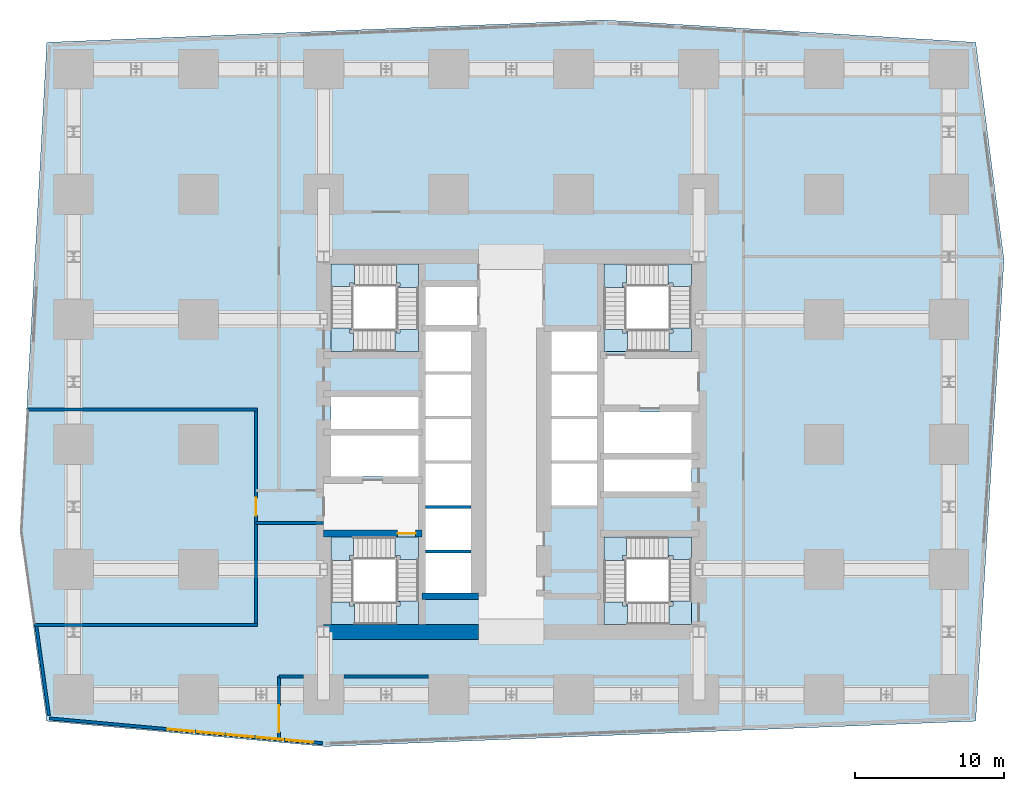
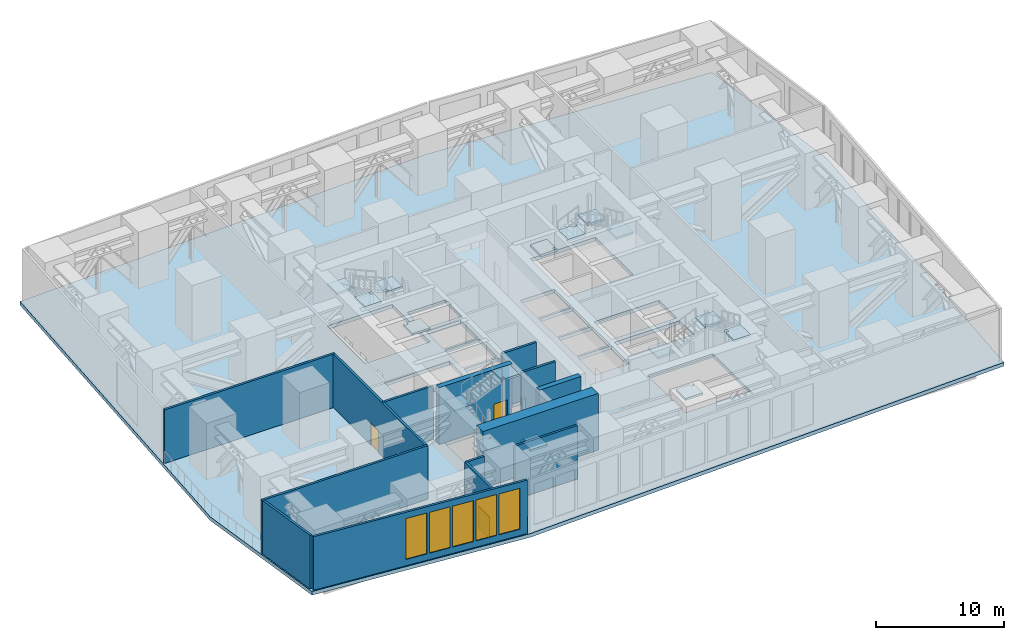
# One storey, part 8 of 16: 17 slabs, 14 walls, 5 windows, 3 doors, 8 openings, 4 elements without a shape of their own.
"""IFC4 building model written with IfcOpenShell, lengths in metres."""

from ifc_helpers import new_model, si_unit, direction, frame, frame_2d, origin, place, context, subcontext, project, spatial, polyline, rectangle, outline, extrude, material, layer, layer_set, type_object, element, fill, aggregate, save


model = new_model("IFC4")

# Units and contexts
model_context = context("Model", 3, precision=1e-05, world=origin(), true_north=direction((0.0, 1.0)))
body_context = subcontext(model_context, "Body", "Model", "MODEL_VIEW")
ifc_project = project(units=[si_unit("LENGTHUNIT", "METRE"), si_unit("AREAUNIT", "SQUARE_METRE"), si_unit("VOLUMEUNIT", "CUBIC_METRE"), si_unit("PLANEANGLEUNIT", "RADIAN"), si_unit("MASSUNIT", "GRAM", prefix="KILO")], contexts=[model_context])

# Site, building, storey
site_placement = place(None, origin())
site = spatial("IfcSite", under=ifc_project, at=site_placement, CompositionType="ELEMENT")
building_placement = place(site_placement, origin())
building = spatial("IfcBuilding", under=site, at=building_placement, Name="Rekha Terrace Tower", CompositionType="ELEMENT")
storey_placement = place(building_placement, frame((0.0, 0.0, 162.800048828125)))
storey = spatial("IfcBuildingStorey", under=building, at=storey_placement, Name="L41", CompositionType="ELEMENT", Elevation=162.800048828125)

# Stair, slabs
ifc_material_1 = material(Name="Concrete M40", Category="concrete")
stair_type = type_object("IfcStairType", Name="ST40 stair, 40 risers of 135, going 310, 1500 wide flights, 4 flights", PredefinedType="QUARTER_TURN_STAIR", material=ifc_material_1)
stair_1_placement = place(storey_placement, origin())
stair_1 = element("IfcStair", 1, at=stair_1_placement, inside=storey, type_object=stair_type, Name="Stair ST1 L41 to L42", PredefinedType="QUARTER_TURN_STAIR")
ifc_layer_1 = layer(ifc_material_1, 0.199951171875)
ifc_layer_set_1 = layer_set([ifc_layer_1], Name="Concrete M40")
slab_type_1 = type_object("IfcSlabType", Name="LD1 200 concrete stair landing", PredefinedType="LANDING", material=ifc_layer_set_1)
slab_1_placement = place(storey_placement, frame((0.0, 0.0, 1.14990234375)))
slab_1 = element("IfcSlab", 2, at=slab_1_placement, type_object=slab_type_1, Name="ST1 landing 1", PredefinedType="LANDING", context=body_context, shape_type="SweptSolid", body=[
    extrude(outline(polyline([(30.074951171875, 21.5), (31.574951171875, 21.5), (31.574951171875, 23.0849609375), (30.074951171875, 23.0849609375), (30.074951171875, 23.0), (30.324951171875, 23.0), (30.324951171875, 22.75), (30.074951171875, 22.75), (30.074951171875, 21.5)])), origin(), (0.0, 0.0, 1.0), 0.199951171875),
])
slab_2_placement = place(storey_placement, frame((0.0, 0.0, 2.5)))
slab_2 = element("IfcSlab", 3, at=slab_2_placement, type_object=slab_type_1, Name="ST1 landing 2", PredefinedType="LANDING", context=body_context, shape_type="SweptSolid", body=[
    extrude(outline(polyline([(25.699951171875, 23.0), (25.699951171875, 21.5), (27.284912109375, 21.5), (27.284912109375, 23.0), (27.199951171875, 23.0), (27.199951171875, 22.75), (26.949951171875, 22.75), (26.949951171875, 23.0), (25.699951171875, 23.0)])), origin(), (0.0, 0.0, 1.0), 0.199951171875),
])
slab_3_placement = place(storey_placement, frame((0.0, 0.0, 3.849853515625)))
slab_3 = element("IfcSlab", 4, at=slab_3_placement, type_object=slab_type_1, Name="ST1 landing 3", PredefinedType="LANDING", context=body_context, shape_type="SweptSolid", body=[
    extrude(outline(polyline([(27.199951171875, 27.375), (25.699951171875, 27.375), (25.699951171875, 25.7900390625), (27.199951171875, 25.7900390625), (27.199951171875, 25.875), (26.949951171875, 25.875), (26.949951171875, 26.125), (27.199951171875, 26.125), (27.199951171875, 27.375)])), origin(), (0.0, 0.0, 1.0), 0.2001953125),
])
slab_4_placement = place(storey_placement, frame((0.0, 0.0, 5.199951171875)))
slab_4 = element("IfcSlab", 5, at=slab_4_placement, type_object=slab_type_1, Name="ST1 landing 4", PredefinedType="LANDING", context=body_context, shape_type="SweptSolid", body=[
    extrude(outline(polyline([(31.574951171875, 25.875), (31.574951171875, 27.375), (29.989990234375, 27.375), (29.989990234375, 25.875), (30.074951171875, 25.875), (30.074951171875, 26.125), (30.324951171875, 26.125), (30.324951171875, 25.875), (31.574951171875, 25.875)])), origin(), (0.0, 0.0, 1.0), 0.199951171875),
])
aggregate(stair_1, [slab_1, slab_2, slab_3, slab_4])

stair_2_placement = place(storey_placement, origin())
stair_2 = element("IfcStair", 6, at=stair_2_placement, inside=storey, type_object=stair_type, Name="Stair ST2 L41 to L42", PredefinedType="QUARTER_TURN_STAIR")
slab_5_placement = place(storey_placement, frame((0.0, 0.0, 1.14990234375)))
slab_5 = element("IfcSlab", 7, at=slab_5_placement, type_object=slab_type_1, Name="ST2 landing 1", PredefinedType="LANDING", context=body_context, shape_type="SweptSolid", body=[
    extrude(outline(polyline([(45.52490234375, 45.699951171875), (44.02490234375, 45.699951171875), (44.02490234375, 44.114990234375), (45.52490234375, 44.114990234375), (45.52490234375, 44.199951171875), (45.27490234375, 44.199951171875), (45.27490234375, 44.449951171875), (45.52490234375, 44.449951171875), (45.52490234375, 45.699951171875)])), origin(), (0.0, 0.0, 1.0), 0.199951171875),
])
slab_6_placement = place(storey_placement, frame((0.0, 0.0, 2.5)))
slab_6 = element("IfcSlab", 8, at=slab_6_placement, type_object=slab_type_1, Name="ST2 landing 2", PredefinedType="LANDING", context=body_context, shape_type="SweptSolid", body=[
    extrude(outline(polyline([(49.89990234375, 44.199951171875), (49.89990234375, 45.699951171875), (48.31494140625, 45.699951171875), (48.31494140625, 44.199951171875), (48.39990234375, 44.199951171875), (48.39990234375, 44.449951171875), (48.64990234375, 44.449951171875), (48.64990234375, 44.199951171875), (49.89990234375, 44.199951171875)])), origin(), (0.0, 0.0, 1.0), 0.199951171875),
])
slab_7_placement = place(storey_placement, frame((0.0, 0.0, 3.849853515625)))
slab_7 = element("IfcSlab", 9, at=slab_7_placement, type_object=slab_type_1, Name="ST2 landing 3", PredefinedType="LANDING", context=body_context, shape_type="SweptSolid", body=[
    extrude(outline(polyline([(48.39990234375, 39.824951171875), (49.89990234375, 39.824951171875), (49.89990234375, 41.409912109375), (48.39990234375, 41.409912109375), (48.39990234375, 41.324951171875), (48.64990234375, 41.324951171875), (48.64990234375, 41.074951171875), (48.39990234375, 41.074951171875), (48.39990234375, 39.824951171875)])), origin(), (0.0, 0.0, 1.0), 0.2001953125),
])
slab_8_placement = place(storey_placement, frame((0.0, 0.0, 5.199951171875)))
slab_8 = element("IfcSlab", 10, at=slab_8_placement, type_object=slab_type_1, Name="ST2 landing 4", PredefinedType="LANDING", context=body_context, shape_type="SweptSolid", body=[
    extrude(outline(polyline([(44.02490234375, 41.324951171875), (44.02490234375, 39.824951171875), (45.610107421875, 39.824951171875), (45.610107421875, 41.324951171875), (45.52490234375, 41.324951171875), (45.52490234375, 41.074951171875), (45.27490234375, 41.074951171875), (45.27490234375, 41.324951171875), (44.02490234375, 41.324951171875)])), origin(), (0.0, 0.0, 1.0), 0.199951171875),
])
aggregate(stair_2, [slab_5, slab_6, slab_7, slab_8])

stair_3_placement = place(storey_placement, origin())
stair_3 = element("IfcStair", 11, at=stair_3_placement, inside=storey, type_object=stair_type, Name="Stair ST3 L41 to L42", PredefinedType="QUARTER_TURN_STAIR")
slab_9_placement = place(storey_placement, frame((0.0, 0.0, 1.14990234375)))
slab_9 = element("IfcSlab", 12, at=slab_9_placement, type_object=slab_type_1, Name="ST3 landing 1", PredefinedType="LANDING", context=body_context, shape_type="SweptSolid", body=[
    extrude(outline(polyline([(44.02490234375, 23.0), (44.02490234375, 21.5), (45.610107421875, 21.5), (45.610107421875, 23.0), (45.52490234375, 23.0), (45.52490234375, 22.75), (45.27490234375, 22.75), (45.27490234375, 23.0), (44.02490234375, 23.0)])), origin(), (0.0, 0.0, 1.0), 0.199951171875),
])
slab_10_placement = place(storey_placement, frame((0.0, 0.0, 2.5)))
slab_10 = element("IfcSlab", 13, at=slab_10_placement, type_object=slab_type_1, Name="ST3 landing 2", PredefinedType="LANDING", context=body_context, shape_type="SweptSolid", body=[
    extrude(outline(polyline([(45.52490234375, 27.375), (44.02490234375, 27.375), (44.02490234375, 25.7900390625), (45.52490234375, 25.7900390625), (45.52490234375, 25.875), (45.27490234375, 25.875), (45.27490234375, 26.125), (45.52490234375, 26.125), (45.52490234375, 27.375)])), origin(), (0.0, 0.0, 1.0), 0.199951171875),
])
slab_11_placement = place(storey_placement, frame((0.0, 0.0, 3.849853515625)))
slab_11 = element("IfcSlab", 14, at=slab_11_placement, type_object=slab_type_1, Name="ST3 landing 3", PredefinedType="LANDING", context=body_context, shape_type="SweptSolid", body=[
    extrude(outline(polyline([(49.89990234375, 25.875), (49.89990234375, 27.375), (48.31494140625, 27.375), (48.31494140625, 25.875), (48.39990234375, 25.875), (48.39990234375, 26.125), (48.64990234375, 26.125), (48.64990234375, 25.875), (49.89990234375, 25.875)])), origin(), (0.0, 0.0, 1.0), 0.2001953125),
])
slab_12_placement = place(storey_placement, frame((0.0, 0.0, 5.199951171875)))
slab_12 = element("IfcSlab", 15, at=slab_12_placement, type_object=slab_type_1, Name="ST3 landing 4", PredefinedType="LANDING", context=body_context, shape_type="SweptSolid", body=[
    extrude(outline(polyline([(48.39990234375, 21.5), (49.89990234375, 21.5), (49.89990234375, 23.0849609375), (48.39990234375, 23.0849609375), (48.39990234375, 23.0), (48.64990234375, 23.0), (48.64990234375, 22.75), (48.39990234375, 22.75), (48.39990234375, 21.5)])), origin(), (0.0, 0.0, 1.0), 0.199951171875),
])
aggregate(stair_3, [slab_9, slab_10, slab_11, slab_12])

stair_4_placement = place(storey_placement, origin())
stair_4 = element("IfcStair", 16, at=stair_4_placement, inside=storey, type_object=stair_type, Name="Stair ST4 L41 to L42", PredefinedType="QUARTER_TURN_STAIR")
slab_13_placement = place(storey_placement, frame((0.0, 0.0, 1.14990234375)))
slab_13 = element("IfcSlab", 17, at=slab_13_placement, type_object=slab_type_1, Name="ST4 landing 1", PredefinedType="LANDING", context=body_context, shape_type="SweptSolid", body=[
    extrude(outline(polyline([(31.574951171875, 41.324951171875), (31.574951171875, 39.824951171875), (29.989990234375, 39.824951171875), (29.989990234375, 41.324951171875), (30.074951171875, 41.324951171875), (30.074951171875, 41.074951171875), (30.324951171875, 41.074951171875), (30.324951171875, 41.324951171875), (31.574951171875, 41.324951171875)])), origin(), (0.0, 0.0, 1.0), 0.199951171875),
])
slab_14_placement = place(storey_placement, frame((0.0, 0.0, 2.5)))
slab_14 = element("IfcSlab", 18, at=slab_14_placement, type_object=slab_type_1, Name="ST4 landing 2", PredefinedType="LANDING", context=body_context, shape_type="SweptSolid", body=[
    extrude(outline(polyline([(30.074951171875, 45.699951171875), (31.574951171875, 45.699951171875), (31.574951171875, 44.114990234375), (30.074951171875, 44.114990234375), (30.074951171875, 44.199951171875), (30.324951171875, 44.199951171875), (30.324951171875, 44.449951171875), (30.074951171875, 44.449951171875), (30.074951171875, 45.699951171875)])), origin(), (0.0, 0.0, 1.0), 0.199951171875),
])
slab_15_placement = place(storey_placement, frame((0.0, 0.0, 3.849853515625)))
slab_15 = element("IfcSlab", 19, at=slab_15_placement, type_object=slab_type_1, Name="ST4 landing 3", PredefinedType="LANDING", context=body_context, shape_type="SweptSolid", body=[
    extrude(outline(polyline([(25.699951171875, 44.199951171875), (25.699951171875, 45.699951171875), (27.284912109375, 45.699951171875), (27.284912109375, 44.199951171875), (27.199951171875, 44.199951171875), (27.199951171875, 44.449951171875), (26.949951171875, 44.449951171875), (26.949951171875, 44.199951171875), (25.699951171875, 44.199951171875)])), origin(), (0.0, 0.0, 1.0), 0.2001953125),
])
slab_16_placement = place(storey_placement, frame((0.0, 0.0, 5.199951171875)))
slab_16 = element("IfcSlab", 20, at=slab_16_placement, type_object=slab_type_1, Name="ST4 landing 4", PredefinedType="LANDING", context=body_context, shape_type="SweptSolid", body=[
    extrude(outline(polyline([(27.199951171875, 39.824951171875), (25.699951171875, 39.824951171875), (25.699951171875, 41.409912109375), (27.199951171875, 41.409912109375), (27.199951171875, 41.324951171875), (26.949951171875, 41.324951171875), (26.949951171875, 41.074951171875), (27.199951171875, 41.074951171875), (27.199951171875, 39.824951171875)])), origin(), (0.0, 0.0, 1.0), 0.199951171875),
])
aggregate(stair_4, [slab_13, slab_14, slab_15, slab_16])

# Slab
ifc_material_2 = material(Name="Concrete M50", Category="concrete")
ifc_layer_2 = layer(ifc_material_2, 0.35009765625)
ifc_layer_set_2 = layer_set([ifc_layer_2], Name="Concrete M50")
slab_type_2 = type_object("IfcSlabType", Name="SL5 350 plant and refuge floor slab", PredefinedType="FLOOR", material=ifc_layer_set_2)
slab_17_placement = place(storey_placement, frame((0.0, 0.0, -0.35009765625)))
element("IfcSlab", 21, at=slab_17_placement, inside=storey, type_object=slab_type_2, Name="Plant and refuge floor slab L41", PredefinedType="FLOOR", context=body_context, shape_type="SweptSolid", body=[
    extrude(outline(polyline([(4.800048828125, 27.76806640625), (6.60009765625, 15.0), (25.320068359375, 13.300048828125), (69.0, 15.0), (70.89990234375, 46.008056640625), (69.0, 60.60009765625), (44.0400390625, 62.10009765625), (6.60009765625, 60.60009765625), (4.800048828125, 27.76806640625)]), holes=[polyline([(31.574951171875, 27.375), (31.574951171875, 21.5), (25.699951171875, 21.5), (25.699951171875, 27.375), (31.574951171875, 27.375)]), polyline([(35.10009765625, 26.300048828125), (35.10009765625, 23.625), (32.02490234375, 23.625), (32.02490234375, 26.300048828125), (35.10009765625, 26.300048828125)]), polyline([(35.10009765625, 29.300048828125), (35.10009765625, 26.5), (32.02490234375, 26.5), (32.02490234375, 29.300048828125), (35.10009765625, 29.300048828125)]), polyline([(35.10009765625, 32.300048828125), (35.10009765625, 29.5), (32.02490234375, 29.5), (32.02490234375, 32.300048828125), (35.10009765625, 32.300048828125)]), polyline([(31.574951171875, 34.175048828125), (31.574951171875, 31.425048828125), (25.699951171875, 31.425048828125), (25.699951171875, 34.175048828125), (31.574951171875, 34.175048828125)]), polyline([(35.10009765625, 35.300048828125), (35.10009765625, 32.5), (32.02490234375, 32.5), (32.02490234375, 35.300048828125), (35.10009765625, 35.300048828125)]), polyline([(31.574951171875, 36.77490234375), (31.574951171875, 34.625), (25.699951171875, 34.625), (25.699951171875, 36.77490234375), (31.574951171875, 36.77490234375)]), polyline([(35.10009765625, 35.5), (32.02490234375, 35.5), (32.02490234375, 38.300048828125), (35.10009765625, 38.300048828125), (35.10009765625, 35.5)]), polyline([(35.10009765625, 38.5), (32.02490234375, 38.5), (32.02490234375, 41.175048828125), (35.10009765625, 41.175048828125), (35.10009765625, 38.5)]), polyline([(31.574951171875, 45.699951171875), (31.574951171875, 39.824951171875), (25.699951171875, 39.824951171875), (25.699951171875, 45.699951171875), (31.574951171875, 45.699951171875)]), polyline([(49.89990234375, 27.375), (49.89990234375, 21.5), (44.02490234375, 21.5), (44.02490234375, 27.375), (49.89990234375, 27.375)]), polyline([(43.574951171875, 32.300048828125), (43.574951171875, 29.5), (40.5, 29.5), (40.5, 32.300048828125), (43.574951171875, 32.300048828125)]), polyline([(49.89990234375, 30.425048828125), (44.02490234375, 30.425048828125), (44.02490234375, 32.574951171875), (49.89990234375, 32.574951171875), (49.89990234375, 30.425048828125)]), polyline([(43.574951171875, 32.5), (40.5, 32.5), (40.5, 35.300048828125), (43.574951171875, 35.300048828125), (43.574951171875, 32.5)]), polyline([(49.89990234375, 35.77490234375), (49.89990234375, 33.02490234375), (44.02490234375, 33.02490234375), (44.02490234375, 35.77490234375), (49.89990234375, 35.77490234375)]), polyline([(43.574951171875, 38.300048828125), (43.574951171875, 35.5), (40.5, 35.5), (40.5, 38.300048828125), (43.574951171875, 38.300048828125)]), polyline([(43.574951171875, 41.175048828125), (43.574951171875, 38.5), (40.5, 38.5), (40.5, 41.175048828125), (43.574951171875, 41.175048828125)]), polyline([(49.89990234375, 39.824951171875), (44.02490234375, 39.824951171875), (44.02490234375, 45.699951171875), (49.89990234375, 45.699951171875), (49.89990234375, 39.824951171875)]), polyline([(35.5, 41.625), (32.02490234375, 41.625), (32.02490234375, 44.175048828125), (35.5, 44.175048828125), (35.5, 41.625)])]), origin(), (0.0, 0.0, 1.0), 0.35009765625),
])

# Wall
ifc_material_3 = material(Name="Concrete M60", Category="concrete")
ifc_layer_3 = layer(ifc_material_3, 0.449951171875)
ifc_layer_set_3 = layer_set([ifc_layer_3], Name="Concrete M60")
wall_type_1 = type_object("IfcWallType", Name="CI3 450 core internal shear wall", PredefinedType="SHEAR", material=ifc_layer_set_3)
wall_1_placement = place(storey_placement, frame((31.800048828125, 23.39990234375, 0.0), z_axis=(0.0, 0.0, 1.0), x_axis=(1.0, 0.0, 0.0)))
element("IfcWall", 22, at=wall_1_placement, inside=storey, type_object=wall_type_1, Name="Core wall Y234W L41", PredefinedType="SHEAR", context=body_context, shape_type="SweptSolid", body=[
    extrude(rectangle(XDim=3.800048828125, YDim=0.449951171875, at=frame_2d((1.89990234375, 0.0))), origin(), (0.0, 0.0, 1.0), 5.39990234375),
])

# Wall, opening, door
wall_2_placement = place(storey_placement, frame((25.199951171875, 27.60009765625, 0.0), z_axis=(0.0, 0.0, 1.0), x_axis=(1.0, 0.0, 0.0)))
wall_2 = element("IfcWall", 23, at=wall_2_placement, inside=storey, type_object=wall_type_1, Name="Core wall Y276W L41", PredefinedType="SHEAR", context=body_context, shape_type="SweptSolid", body=[
    extrude(rectangle(XDim=6.60009765625, YDim=0.449951171875, at=frame_2d((3.300048828125, 0.0))), origin(), (0.0, 0.0, 1.0), 5.39990234375),
])
opening_1_placement = place(wall_2_placement, frame((4.97509765625, 0.0, 0.0)))
opening_1 = element("IfcOpeningElement", 24, at=opening_1_placement, cuts=wall_2, Name="Opening D1", PredefinedType="OPENING", context=body_context, shape_type="SweptSolid", body=[
    extrude(rectangle(XDim=1.199951171875, YDim=2.10009765625, at=frame_2d((0.60009765625, 1.050048828125))), frame((0.0, 0.23486328125, 0.0), z_axis=(0.0, -1.0, 0.0), x_axis=(1.0, 0.0, 0.0)), (0.0, 0.0, 1.0), 0.469970703125),
])
ifc_material_4 = material(Name="Steel fire door", Category="steel")
door_type_1 = type_object("IfcDoorType", Name="D1 1200x2100 stair fire door", OperationType="SINGLE_SWING_RIGHT", PredefinedType="DOOR", material=ifc_material_4)
door_1_placement = place(opening_1_placement, origin())
door_1 = element("IfcDoor", 25, at=door_1_placement, inside=storey, type_object=door_type_1, Name="Stair ST1 door L41", OperationType="SINGLE_SWING_RIGHT", OverallHeight=2.10009765625, OverallWidth=1.199951171875, PredefinedType="DOOR", context=body_context, shape_type="SweptSolid", body=[
    extrude(rectangle(XDim=1.199951171875, YDim=2.10009765625, at=frame_2d((0.60009765625, 1.050048828125))), frame((0.0, 0.02490234375, 0.0), z_axis=(0.0, -1.0, 0.0), x_axis=(1.0, 0.0, 0.0)), (0.0, 0.0, 1.0), 0.050048828125),
])
fill(opening_1, door_1)

# Wall, openings, windows
ifc_material_5 = material(Name="Aluminium cladding on steel stud wall", Category="steel")
ifc_layer_4 = layer(ifc_material_5, 0.199951171875)
ifc_layer_set_4 = layer_set([ifc_layer_4], Name="Aluminium cladding on steel stud wall")
wall_type_2 = type_object("IfcWallType", Name="EW1 plant floor louvre wall 200", PredefinedType="SOLIDWALL", material=ifc_layer_set_4)
wall_3_placement = place(storey_placement, frame((6.77587890625, 15.184814453125, 0.0), z_axis=(0.0, 0.0, 1.0), x_axis=(0.995902649873, -0.090431808432, 0.0)))
wall_3 = element("IfcWall", 26, at=wall_3_placement, inside=storey, type_object=wall_type_2, Name="Plant floor louvre wall", PredefinedType="SOLIDWALL", context=body_context, shape_type="SweptSolid", body=[
    extrude(rectangle(XDim=18.425537109375, YDim=0.199951171875, at=frame_2d((9.212890625, 0.0))), origin(), (0.0, 0.0, 1.0), 5.099853515625),
])
opening_2_placement = place(wall_3_placement, frame((7.978515625, 0.0, 0.60009765625)))
opening_2 = element("IfcOpeningElement", 27, at=opening_2_placement, cuts=wall_3, Name="Opening LV2", PredefinedType="OPENING", context=body_context, shape_type="SweptSolid", body=[
    extrude(rectangle(XDim=1.800048828125, YDim=3.89990234375, at=frame_2d((0.89990234375, 1.949951171875))), frame((0.0, 0.10986328125, 0.0), z_axis=(0.0, -1.0, 0.0), x_axis=(1.0, 0.0, 0.0)), (0.0, 0.0, 1.0), 0.219970703125),
])
opening_3_placement = place(wall_3_placement, frame((9.978515625, 0.0, 0.60009765625)))
opening_3 = element("IfcOpeningElement", 28, at=opening_3_placement, cuts=wall_3, Name="Opening LV2", PredefinedType="OPENING", context=body_context, shape_type="SweptSolid", body=[
    extrude(rectangle(XDim=1.800048828125, YDim=3.89990234375, at=frame_2d((0.89990234375, 1.949951171875))), frame((0.0, 0.10986328125, 0.0), z_axis=(0.0, -1.0, 0.0), x_axis=(1.0, 0.0, 0.0)), (0.0, 0.0, 1.0), 0.219970703125),
])
opening_4_placement = place(wall_3_placement, frame((11.978515625, 0.0, 0.60009765625)))
opening_4 = element("IfcOpeningElement", 29, at=opening_4_placement, cuts=wall_3, Name="Opening LV2", PredefinedType="OPENING", context=body_context, shape_type="SweptSolid", body=[
    extrude(rectangle(XDim=1.800048828125, YDim=3.89990234375, at=frame_2d((0.89990234375, 1.949951171875))), frame((0.0, 0.10986328125, 0.0), z_axis=(0.0, -1.0, 0.0), x_axis=(1.0, 0.0, 0.0)), (0.0, 0.0, 1.0), 0.219970703125),
])
opening_5_placement = place(wall_3_placement, frame((13.978515625, 0.0, 0.60009765625)))
opening_5 = element("IfcOpeningElement", 30, at=opening_5_placement, cuts=wall_3, Name="Opening LV2", PredefinedType="OPENING", context=body_context, shape_type="SweptSolid", body=[
    extrude(rectangle(XDim=1.800048828125, YDim=3.89990234375, at=frame_2d((0.89990234375, 1.949951171875))), frame((0.0, 0.10986328125, 0.0), z_axis=(0.0, -1.0, 0.0), x_axis=(1.0, 0.0, 0.0)), (0.0, 0.0, 1.0), 0.219970703125),
])
opening_6_placement = place(wall_3_placement, frame((15.978515625, 0.0, 0.60009765625)))
opening_6 = element("IfcOpeningElement", 31, at=opening_6_placement, cuts=wall_3, Name="Opening LV2", PredefinedType="OPENING", context=body_context, shape_type="SweptSolid", body=[
    extrude(rectangle(XDim=1.800048828125, YDim=3.89990234375, at=frame_2d((0.89990234375, 1.949951171875))), frame((0.0, 0.10986328125, 0.0), z_axis=(0.0, -1.0, 0.0), x_axis=(1.0, 0.0, 0.0)), (0.0, 0.0, 1.0), 0.219970703125),
])
ifc_material_6 = material(Name="Extruded aluminium weather louvre", Category="aluminium")
window_type = type_object("IfcWindowType", Name="LV2 plant louvre 1800", PartitioningType="SINGLE_PANEL", PredefinedType="USERDEFINED", material=ifc_material_6)
window_1_placement = place(opening_2_placement, origin())
window_1 = element("IfcWindow", 32, at=window_1_placement, inside=storey, type_object=window_type, Name="Plant louvre", ObjectType="LOUVRE", OverallHeight=3.89990234375, OverallWidth=1.800048828125, PartitioningType="SINGLE_PANEL", PredefinedType="USERDEFINED", context=body_context, shape_type="SweptSolid", body=[
    extrude(rectangle(XDim=1.800048828125, YDim=3.89990234375, at=frame_2d((0.89990234375, 1.949951171875))), frame((0.0, 0.030029296875, 0.0), z_axis=(0.0, -1.0, 0.0), x_axis=(1.0, 0.0, 0.0)), (0.0, 0.0, 1.0), 0.06005859375),
])
fill(opening_2, window_1)
window_2_placement = place(opening_3_placement, origin())
window_2 = element("IfcWindow", 33, at=window_2_placement, inside=storey, type_object=window_type, Name="Plant louvre", ObjectType="LOUVRE", OverallHeight=3.89990234375, OverallWidth=1.800048828125, PartitioningType="SINGLE_PANEL", PredefinedType="USERDEFINED", context=body_context, shape_type="SweptSolid", body=[
    extrude(rectangle(XDim=1.800048828125, YDim=3.89990234375, at=frame_2d((0.89990234375, 1.949951171875))), frame((0.0, 0.030029296875, 0.0), z_axis=(0.0, -1.0, 0.0), x_axis=(1.0, 0.0, 0.0)), (0.0, 0.0, 1.0), 0.06005859375),
])
fill(opening_3, window_2)
window_3_placement = place(opening_4_placement, origin())
window_3 = element("IfcWindow", 34, at=window_3_placement, inside=storey, type_object=window_type, Name="Plant louvre", ObjectType="LOUVRE", OverallHeight=3.89990234375, OverallWidth=1.800048828125, PartitioningType="SINGLE_PANEL", PredefinedType="USERDEFINED", context=body_context, shape_type="SweptSolid", body=[
    extrude(rectangle(XDim=1.800048828125, YDim=3.89990234375, at=frame_2d((0.89990234375, 1.949951171875))), frame((0.0, 0.030029296875, 0.0), z_axis=(0.0, -1.0, 0.0), x_axis=(1.0, 0.0, 0.0)), (0.0, 0.0, 1.0), 0.06005859375),
])
fill(opening_4, window_3)
window_4_placement = place(opening_5_placement, origin())
window_4 = element("IfcWindow", 35, at=window_4_placement, inside=storey, type_object=window_type, Name="Plant louvre", ObjectType="LOUVRE", OverallHeight=3.89990234375, OverallWidth=1.800048828125, PartitioningType="SINGLE_PANEL", PredefinedType="USERDEFINED", context=body_context, shape_type="SweptSolid", body=[
    extrude(rectangle(XDim=1.800048828125, YDim=3.89990234375, at=frame_2d((0.89990234375, 1.949951171875))), frame((0.0, 0.030029296875, 0.0), z_axis=(0.0, -1.0, 0.0), x_axis=(1.0, 0.0, 0.0)), (0.0, 0.0, 1.0), 0.06005859375),
])
fill(opening_5, window_4)
window_5_placement = place(opening_6_placement, origin())
window_5 = element("IfcWindow", 36, at=window_5_placement, inside=storey, type_object=window_type, Name="Plant louvre", ObjectType="LOUVRE", OverallHeight=3.89990234375, OverallWidth=1.800048828125, PartitioningType="SINGLE_PANEL", PredefinedType="USERDEFINED", context=body_context, shape_type="SweptSolid", body=[
    extrude(rectangle(XDim=1.800048828125, YDim=3.89990234375, at=frame_2d((0.89990234375, 1.949951171875))), frame((0.0, 0.030029296875, 0.0), z_axis=(0.0, -1.0, 0.0), x_axis=(1.0, 0.0, 0.0)), (0.0, 0.0, 1.0), 0.06005859375),
])
fill(opening_6, window_5)

# Walls
wall_4_placement = place(storey_placement, frame((5.9052734375, 21.361083984375, 0.0), z_axis=(0.0, 0.0, 1.0), x_axis=(0.139592501721, -0.990209035236, 0.0)))
element("IfcWall", 37, at=wall_4_placement, inside=storey, type_object=wall_type_2, Name="Plant floor louvre wall", PredefinedType="SOLIDWALL", context=body_context, shape_type="SweptSolid", body=[
    extrude(rectangle(XDim=6.037353515625, YDim=0.199951171875, at=frame_2d((3.0185546875, 0.0))), origin(), (0.0, 0.0, 1.0), 5.099853515625),
])
ifc_layer_5 = layer(ifc_material_3, 1.0)
ifc_layer_set_5 = layer_set([ifc_layer_5], Name="Concrete M60")
wall_type_3 = type_object("IfcWallType", Name="SW3 1000 core outer shear wall", PredefinedType="SHEAR", material=ifc_layer_set_5)
wall_5_placement = place(storey_placement, frame((25.199951171875, 21.0, 0.0), z_axis=(0.0, 0.0, 1.0), x_axis=(1.0, 0.0, 0.0)))
element("IfcWall", 38, at=wall_5_placement, inside=storey, type_object=wall_type_3, Name="Core wall S1 L41", PredefinedType="SHEAR", context=body_context, shape_type="SweptSolid", body=[
    extrude(rectangle(XDim=10.400146484375, YDim=1.0, at=frame_2d((5.2001953125, 0.0))), origin(), (0.0, 0.0, 1.0), 5.39990234375),
])

# Wall, opening, door
ifc_material_7 = material(Name="Solid concrete block masonry, 2 hour", Category="masonry")
ifc_layer_6 = layer(ifc_material_7, 0.199951171875)
ifc_layer_set_6 = layer_set([ifc_layer_6], Name="Solid concrete block masonry, 2 hour")
wall_type_4 = type_object("IfcWallType", Name="WP1 200 plant room wall", PredefinedType="PARTITIONING", material=ifc_layer_set_6)
wall_6_placement = place(storey_placement, frame((22.199951171875, 13.885009765625, 0.0), z_axis=(0.0, 0.0, 1.0), x_axis=(0.0, 1.0, 0.0)))
wall_6 = element("IfcWall", 39, at=wall_6_placement, inside=storey, type_object=wall_type_4, Name="Partition L41-02", PredefinedType="PARTITIONING", context=body_context, shape_type="SweptSolid", body=[
    extrude(rectangle(XDim=4.114990234375, YDim=0.199951171875, at=frame_2d((2.0576171875, 0.0))), origin(), (0.0, 0.0, 1.0), 5.099853515625),
])
opening_7_placement = place(wall_6_placement, frame((0.382080078125, 0.0, 0.0)))
opening_7 = element("IfcOpeningElement", 40, at=opening_7_placement, cuts=wall_6, Name="Opening D6", PredefinedType="OPENING", context=body_context, shape_type="SweptSolid", body=[
    extrude(rectangle(XDim=1.800048828125, YDim=2.10009765625, at=frame_2d((0.89990234375, 1.050048828125))), frame((0.0, 0.10986328125, 0.0), z_axis=(0.0, -1.0, 0.0), x_axis=(1.0, 0.0, 0.0)), (0.0, 0.0, 1.0), 0.219970703125),
])
door_type_2 = type_object("IfcDoorType", Name="D6 1800x2100 plant room double door", OperationType="DOUBLE_DOOR_SINGLE_SWING", PredefinedType="DOOR", material=ifc_material_4)
door_2_placement = place(opening_7_placement, origin())
door_2 = element("IfcDoor", 41, at=door_2_placement, inside=storey, type_object=door_type_2, Name="Door pump and water treatment plant room L41", OperationType="DOUBLE_DOOR_SINGLE_SWING", OverallHeight=2.10009765625, OverallWidth=1.800048828125, PredefinedType="DOOR", context=body_context, shape_type="SweptSolid", body=[
    extrude(rectangle(XDim=1.800048828125, YDim=2.10009765625, at=frame_2d((0.89990234375, 1.050048828125))), frame((0.0, 0.02490234375, 0.0), z_axis=(0.0, -1.0, 0.0), x_axis=(1.0, 0.0, 0.0)), (0.0, 0.0, 1.0), 0.050048828125),
])
fill(opening_7, door_2)

# Walls
wall_7_placement = place(storey_placement, frame((22.199951171875, 18.0, 0.0), z_axis=(0.0, 0.0, 1.0), x_axis=(1.0, 0.0, 0.0)))
element("IfcWall", 42, at=wall_7_placement, inside=storey, type_object=wall_type_4, Name="Partition L41-02", PredefinedType="PARTITIONING", context=body_context, shape_type="SweptSolid", body=[
    extrude(rectangle(XDim=1.630126953125, YDim=0.199951171875, at=frame_2d((0.81494140625, 0.0))), origin(), (0.0, 0.0, 1.0), 5.099853515625),
])
wall_8_placement = place(storey_placement, frame((26.570068359375, 18.0, 0.0), z_axis=(0.0, 0.0, 1.0), x_axis=(1.0, 0.0, 0.0)))
element("IfcWall", 43, at=wall_8_placement, inside=storey, type_object=wall_type_4, Name="Partition L41-02", PredefinedType="PARTITIONING", context=body_context, shape_type="SweptSolid", body=[
    extrude(rectangle(XDim=5.659912109375, YDim=0.199951171875, at=frame_2d((2.830078125, 0.0))), origin(), (0.0, 0.0, 1.0), 5.099853515625),
])
ifc_layer_7 = layer(ifc_material_7, 0.199951171875)
ifc_layer_set_7 = layer_set([ifc_layer_7], Name="Solid concrete block masonry, 2 hour")
wall_type_5 = type_object("IfcWallType", Name="WS1 200 stair and shaft enclosure", PredefinedType="PARTITIONING", material=ifc_layer_set_7)
for number, where, z_axis, x_axis, name in (
    (44, (32.02490234375, 26.39990234375, 0.0), (0.0, 0.0, 1.0), (1.0, 0.0, 0.0), "Lift shaft divider L41"),
    (45, (32.02490234375, 29.39990234375, 0.0), (0.0, 0.0, 1.0), (1.0, 0.0, 0.0), "Lift shaft divider L41"),
):
    element("IfcWall", number, at=place(storey_placement, frame(where, z_axis=z_axis, x_axis=x_axis)), inside=storey, type_object=wall_type_5, Name=name, PredefinedType="PARTITIONING", context=body_context, shape_type="SweptSolid", body=[
        extrude(rectangle(XDim=3.0751953125, YDim=0.199951171875, at=frame_2d((1.53759765625, 0.0))), origin(), (0.0, 0.0, 1.0), 5.099853515625),
    ])

# Wall, opening, door
wall_9_placement = place(storey_placement, frame((20.64990234375, 21.56103515625, 0.0), z_axis=(0.0, 0.0, 1.0), x_axis=(0.0, 1.0, 0.0)))
wall_9 = element("IfcWall", 46, at=wall_9_placement, inside=storey, type_object=wall_type_5, Name="Refuge area inner wall L41", PredefinedType="PARTITIONING", context=body_context, shape_type="SweptSolid", body=[
    extrude(rectangle(XDim=14.281982421875, YDim=0.199951171875, at=frame_2d((7.14111328125, 0.0))), origin(), (0.0, 0.0, 1.0), 5.099853515625),
])
opening_8_placement = place(wall_9_placement, frame((7.239013671875, 0.0, 0.0)))
opening_8 = element("IfcOpeningElement", 47, at=opening_8_placement, cuts=wall_9, Name="Opening D2", PredefinedType="OPENING", context=body_context, shape_type="SweptSolid", body=[
    extrude(rectangle(XDim=1.199951171875, YDim=2.10009765625, at=frame_2d((0.60009765625, 1.050048828125))), frame((0.0, 0.10986328125, 0.0), z_axis=(0.0, -1.0, 0.0), x_axis=(1.0, 0.0, 0.0)), (0.0, 0.0, 1.0), 0.219970703125),
])
door_type_3 = type_object("IfcDoorType", Name="D2 1200x2100 firefighting lobby door", OperationType="SINGLE_SWING_LEFT", PredefinedType="DOOR", material=ifc_material_4)
door_3_placement = place(opening_8_placement, origin())
door_3 = element("IfcDoor", 48, at=door_3_placement, inside=storey, type_object=door_type_3, Name="Refuge area door L41", OperationType="SINGLE_SWING_LEFT", OverallHeight=2.10009765625, OverallWidth=1.199951171875, PredefinedType="DOOR", context=body_context, shape_type="SweptSolid", body=[
    extrude(rectangle(XDim=1.199951171875, YDim=2.10009765625, at=frame_2d((0.60009765625, 1.050048828125))), frame((0.0, 0.02490234375, 0.0), z_axis=(0.0, -1.0, 0.0), x_axis=(1.0, 0.0, 0.0)), (0.0, 0.0, 1.0), 0.050048828125),
])
fill(opening_8, door_3)

# Walls
wall_10_placement = place(storey_placement, frame((5.7890625, 21.4609375, 0.0), z_axis=(0.0, 0.0, 1.0), x_axis=(1.0, 0.0, 0.0)))
element("IfcWall", 49, at=wall_10_placement, inside=storey, type_object=wall_type_5, Name="Refuge area south wall L41", PredefinedType="PARTITIONING", context=body_context, shape_type="SweptSolid", body=[
    extrude(rectangle(XDim=14.9609375, YDim=0.199951171875, at=frame_2d((7.48046875, 0.0))), origin(), (0.0, 0.0, 1.0), 5.099853515625),
])
wall_11_placement = place(storey_placement, frame((5.347900390625, 35.943115234375, 0.0), z_axis=(0.0, 0.0, 1.0), x_axis=(1.0, 0.0, 0.0)))
element("IfcWall", 50, at=wall_11_placement, inside=storey, type_object=wall_type_5, Name="Refuge area north wall L41", PredefinedType="PARTITIONING", context=body_context, shape_type="SweptSolid", body=[
    extrude(rectangle(XDim=15.402099609375, YDim=0.199951171875, at=frame_2d((7.701171875, 0.0))), origin(), (0.0, 0.0, 1.0), 5.099853515625),
])
wall_12_placement = place(storey_placement, frame((20.64990234375, 28.300048828125, 0.0), z_axis=(0.0, 0.0, 1.0), x_axis=(1.0, 0.0, 0.0)))
element("IfcWall", 51, at=wall_12_placement, inside=storey, type_object=wall_type_5, Name="Refuge corridor south wall L41", PredefinedType="PARTITIONING", context=body_context, shape_type="SweptSolid", body=[
    extrude(rectangle(XDim=4.550048828125, YDim=0.199951171875, at=frame_2d((2.27490234375, 0.0))), origin(), (0.0, 0.0, 1.0), 5.099853515625),
])

save(model, "model.ifc")
